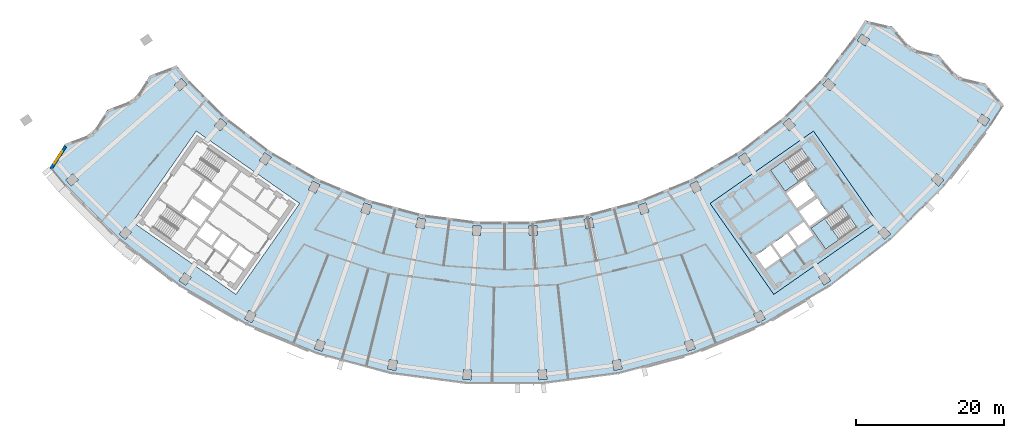
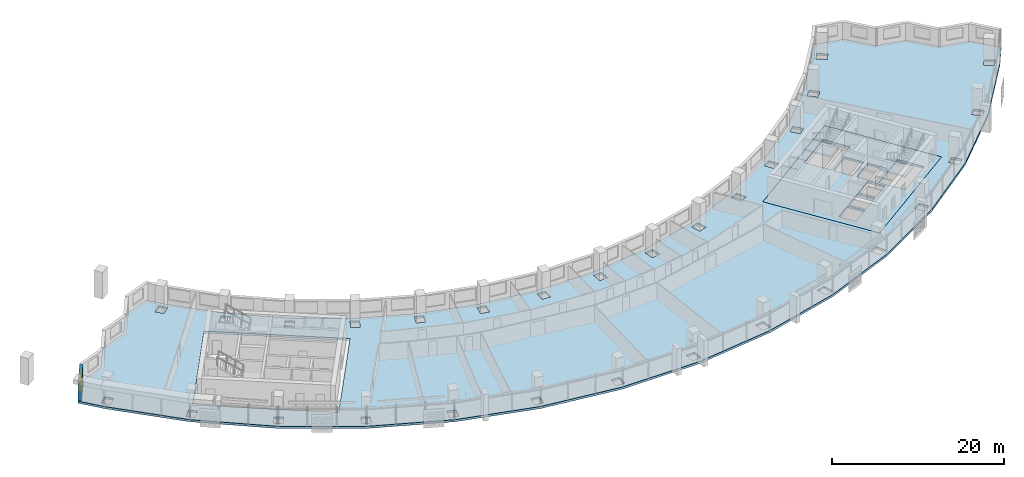
# One storey, part 2 of 26: 4 slabs, 1 wall, 1 window, 1 opening, 2 elements without a shape of their own.
"""IFC4 building model written with IfcOpenShell, lengths in metres."""

from ifc_helpers import new_model, si_unit, direction, frame, frame_2d, origin, place, context, subcontext, project, spatial, polyline, rectangle, outline, extrude, material, layer, layer_set, type_object, element, fill, aggregate, save


model = new_model("IFC4")

# Units and contexts
model_context = context("Model", 3, precision=1e-05, world=origin(), true_north=direction((0.0, 1.0)))
body_context = subcontext(model_context, "Body", "Model", "MODEL_VIEW")
ifc_project = project(units=[si_unit("LENGTHUNIT", "METRE"), si_unit("AREAUNIT", "SQUARE_METRE"), si_unit("VOLUMEUNIT", "CUBIC_METRE"), si_unit("PLANEANGLEUNIT", "RADIAN"), si_unit("MASSUNIT", "GRAM", prefix="KILO")], contexts=[model_context])

# Site, building, storey
site_placement = place(None, origin())
site = spatial("IfcSite", under=ifc_project, at=site_placement, CompositionType="ELEMENT")
building_placement = place(site_placement, origin())
building = spatial("IfcBuilding", under=site, at=building_placement, Name="Qamariyya Broadcast Tower", CompositionType="ELEMENT")
storey_placement = place(building_placement, frame((0.0, 0.0, 183.5)))
storey = spatial("IfcBuildingStorey", under=building, at=storey_placement, Name="L43", CompositionType="ELEMENT", Elevation=183.5)

# Slabs
ifc_material_1 = material(Name="Concrete C40/50", Category="concrete")
ifc_layer_1 = layer(ifc_material_1, 0.300048828125)
ifc_layer_set_1 = layer_set([ifc_layer_1], Name="Core floor slab 300 mm Concrete C40/50")
slab_type_1 = type_object("IfcSlabType", Name="Core floor slab 300 mm Concrete C40/50", PredefinedType="FLOOR", material=ifc_layer_set_1)
slab_1_placement = place(storey_placement, frame((0.0, 0.0, -0.300048828125)))
element("IfcSlab", 1, at=slab_1_placement, inside=storey, type_object=slab_type_1, Name="k-E-L43-slab", PredefinedType="FLOOR", context=body_context, shape_type="SweptSolid", body=[
    extrude(outline(polyline([(36.32373046875, -66.734375), (50.286376953125, -56.95751953125), (41.6826171875, -44.67041015625), (27.719970703125, -54.447021484375), (36.32373046875, -66.734375)]), holes=[polyline([(33.87353515625, -61.49169921875), (35.88037109375, -60.08642578125), (37.142333984375, -61.888427734375), (35.13525390625, -63.293701171875), (33.87353515625, -61.49169921875)]), polyline([(36.126220703125, -59.914306640625), (38.133056640625, -58.509033203125), (39.394775390625, -60.311279296875), (37.387939453125, -61.716552734375), (36.126220703125, -59.914306640625)]), polyline([(38.378662109375, -58.3369140625), (40.3857421875, -56.931640625), (41.6474609375, -58.73388671875), (39.640625, -60.13916015625), (38.378662109375, -58.3369140625)]), polyline([(39.742431640625, -55.489990234375), (42.199951171875, -53.769287109375), (43.6337890625, -55.817138671875), (41.17626953125, -57.537841796875), (39.742431640625, -55.489990234375)]), polyline([(39.45556640625, -55.080322265625), (41.9130859375, -53.359619140625), (40.47900390625, -51.311767578125), (38.021728515625, -53.032470703125), (39.45556640625, -55.080322265625)]), polyline([(40.082275390625, -47.01171875), (35.870849609375, -49.960693359375), (37.849609375, -52.78662109375), (42.06103515625, -49.837890625), (40.082275390625, -47.01171875)]), polyline([(45.559814453125, -54.834716796875), (41.348388671875, -57.783447265625), (43.3271484375, -60.609619140625), (47.538818359375, -57.66064453125), (45.559814453125, -54.834716796875)])]), origin(), (0.0, 0.0, 1.0), 0.300048828125),
])
ifc_layer_2 = layer(ifc_material_1, 0.300048828125)
ifc_layer_set_2 = layer_set([ifc_layer_2], Name="Post-tensioned floor slab 300 C40/50")
slab_type_2 = type_object("IfcSlabType", Name="Post-tensioned floor slab 300 C40/50", PredefinedType="FLOOR", material=ifc_layer_set_2)
slab_2_placement = place(storey_placement, frame((0.0, 0.0, -0.300048828125)))
element("IfcSlab", 2, at=slab_2_placement, inside=storey, type_object=slab_type_2, Name="Floor slab S4 L43", PredefinedType="FLOOR", context=body_context, shape_type="SweptSolid", body=[
    extrude(outline(polyline([(-59.363525390625, -46.379638671875), (-61.470458984375, -49.62255859375), (-59.395263671875, -52.08837890625), (-52.08837890625, -59.395263671875), (-43.89013671875, -65.68603515625), (-34.94091796875, -70.85302734375), (-25.393798828125, -74.807373046875), (-15.412109375, -77.48193359375), (-5.166748046875, -78.830810546875), (5.166748046875, -78.830810546875), (15.412109375, -77.48193359375), (25.393798828125, -74.807373046875), (34.94091796875, -70.85302734375), (43.89013671875, -65.68603515625), (52.08837890625, -59.395263671875), (59.395263671875, -52.08837890625), (65.68603515625, -43.89013671875), (67.421630859375, -41.174560546875), (64.909423828125, -38.234375), (61.1630859375, -37.352294921875), (58.650146484375, -34.41162109375), (54.904541015625, -33.5302734375), (52.390380859375, -30.5888671875), (48.64599609375, -29.708251953125), (47.393798828125, -31.66748046875), (42.85498046875, -37.582763671875), (37.582763671875, -42.85498046875), (31.66748046875, -47.393798828125), (25.21044921875, -51.121826171875), (18.322021484375, -53.97509765625), (11.1201171875, -55.90478515625), (3.72802734375, -56.8779296875), (-3.72802734375, -56.8779296875), (-11.1201171875, -55.90478515625), (-18.322021484375, -53.97509765625), (-25.21044921875, -51.121826171875), (-31.66748046875, -47.393798828125), (-37.582763671875, -42.85498046875), (-42.85498046875, -37.582763671875), (-44.35205078125, -35.803466796875), (-47.949462890625, -37.16552734375), (-50.05810546875, -40.409912109375), (-53.65673828125, -41.772705078125), (-55.76416015625, -45.01611328125), (-59.363525390625, -46.379638671875)]), holes=[polyline([(-5.676513671875, -78.1962890625), (-5.59130859375, -76.89892578125), (-4.49365234375, -76.970947265625), (-4.578857421875, -78.26806640625), (-5.676513671875, -78.1962890625)]), polyline([(-15.83447265625, -76.786376953125), (-15.580810546875, -75.51123046875), (-14.501953125, -75.725830078125), (-14.755615234375, -77.0009765625), (-15.83447265625, -76.786376953125)]), polyline([(-25.7216796875, -74.0625), (-25.3037109375, -72.83154296875), (-24.26220703125, -73.18505859375), (-24.679931640625, -74.416015625), (-25.7216796875, -74.0625)]), polyline([(-35.168701171875, -70.071533203125), (-34.59375, -68.905517578125), (-33.607177734375, -69.39208984375), (-34.18212890625, -70.55810546875), (-35.168701171875, -70.071533203125)]), polyline([(-44.013916015625, -64.881591796875), (-43.291748046875, -63.80078125), (-42.377197265625, -64.411865234375), (-43.099365234375, -65.49267578125), (-44.013916015625, -64.881591796875)]), polyline([(-52.106201171875, -58.58154296875), (-51.2490234375, -57.604248046875), (-50.422119140625, -58.32958984375), (-51.279296875, -59.306884765625), (-52.106201171875, -58.58154296875)]), polyline([(-4.401123046875, -58.738037109375), (-4.316162109375, -57.440673828125), (-3.218505859375, -57.5126953125), (-3.303466796875, -58.809814453125), (-4.401123046875, -58.738037109375)]), polyline([(-12.0302734375, -57.660888671875), (-11.776611328125, -56.385986328125), (-10.69775390625, -56.6005859375), (-10.951416015625, -57.87548828125), (-12.0302734375, -57.660888671875)]), polyline([(-50.286376953125, -56.95751953125), (-41.6826171875, -44.67041015625), (-27.719970703125, -54.447021484375), (-36.32373046875, -66.734375), (-50.286376953125, -56.95751953125)]), polyline([(-19.45361328125, -55.597412109375), (-19.03564453125, -54.366455078125), (-17.994140625, -54.719970703125), (-18.411865234375, -55.950927734375), (-19.45361328125, -55.597412109375)]), polyline([(-26.544189453125, -52.58251953125), (-25.968994140625, -51.41650390625), (-24.982666015625, -51.903076171875), (-25.5576171875, -53.069091796875), (-26.544189453125, -52.58251953125)]), polyline([(-59.306884765625, -51.279296875), (-58.32958984375, -50.422119140625), (-57.604248046875, -51.2490234375), (-58.58154296875, -52.106201171875), (-59.306884765625, -51.279296875)]), polyline([(-33.180419921875, -48.66796875), (-32.458251953125, -47.587158203125), (-31.54345703125, -48.1982421875), (-32.265869140625, -49.279052734375), (-33.180419921875, -48.66796875)]), polyline([(-39.2490234375, -43.920654296875), (-38.391845703125, -42.943359375), (-37.564697265625, -43.668701171875), (-38.421875, -44.64599609375), (-39.2490234375, -43.920654296875)]), polyline([(-43.668701171875, -37.564697265625), (-42.943359375, -38.391845703125), (-43.920654296875, -39.2490234375), (-44.64599609375, -38.421875), (-43.668701171875, -37.564697265625)]), polyline([(4.578857421875, -78.26806640625), (4.49365234375, -76.970947265625), (5.59130859375, -76.89892578125), (5.676513671875, -78.1962890625), (4.578857421875, -78.26806640625)]), polyline([(14.755615234375, -77.0009765625), (14.501953125, -75.725830078125), (15.580810546875, -75.51123046875), (15.83447265625, -76.786376953125), (14.755615234375, -77.0009765625)]), polyline([(24.679931640625, -74.416015625), (24.26220703125, -73.18505859375), (25.3037109375, -72.83154296875), (25.7216796875, -74.0625), (24.679931640625, -74.416015625)]), polyline([(34.18212890625, -70.55810546875), (33.607177734375, -69.39208984375), (34.59375, -68.905517578125), (35.168701171875, -70.071533203125), (34.18212890625, -70.55810546875)]), polyline([(43.099365234375, -65.49267578125), (42.377197265625, -64.411865234375), (43.291748046875, -63.80078125), (44.013916015625, -64.881591796875), (43.099365234375, -65.49267578125)]), polyline([(51.279296875, -59.306884765625), (50.422119140625, -58.32958984375), (51.2490234375, -57.604248046875), (52.106201171875, -58.58154296875), (51.279296875, -59.306884765625)]), polyline([(3.303466796875, -58.809814453125), (3.218505859375, -57.5126953125), (4.316162109375, -57.440673828125), (4.401123046875, -58.738037109375), (3.303466796875, -58.809814453125)]), polyline([(10.951416015625, -57.87548828125), (10.69775390625, -56.6005859375), (11.776611328125, -56.385986328125), (12.0302734375, -57.660888671875), (10.951416015625, -57.87548828125)]), polyline([(36.32373046875, -66.734375), (27.719970703125, -54.447021484375), (41.6826171875, -44.67041015625), (50.286376953125, -56.95751953125), (36.32373046875, -66.734375)]), polyline([(18.411865234375, -55.950927734375), (17.994140625, -54.719970703125), (19.03564453125, -54.366455078125), (19.45361328125, -55.597412109375), (18.411865234375, -55.950927734375)]), polyline([(25.5576171875, -53.069091796875), (24.982666015625, -51.903076171875), (25.968994140625, -51.41650390625), (26.544189453125, -52.58251953125), (25.5576171875, -53.069091796875)]), polyline([(58.58154296875, -52.106201171875), (57.604248046875, -51.2490234375), (58.32958984375, -50.422119140625), (59.306884765625, -51.279296875), (58.58154296875, -52.106201171875)]), polyline([(32.265869140625, -49.279052734375), (31.54345703125, -48.1982421875), (32.458251953125, -47.587158203125), (33.180419921875, -48.66796875), (32.265869140625, -49.279052734375)]), polyline([(38.421875, -44.64599609375), (37.564697265625, -43.668701171875), (38.391845703125, -42.943359375), (39.2490234375, -43.920654296875), (38.421875, -44.64599609375)]), polyline([(64.881591796875, -44.013916015625), (63.80078125, -43.291748046875), (64.411865234375, -42.377197265625), (65.49267578125, -43.099365234375), (64.881591796875, -44.013916015625)]), polyline([(42.943359375, -38.391845703125), (43.668701171875, -37.564697265625), (44.64599609375, -38.421875), (43.920654296875, -39.2490234375), (42.943359375, -38.391845703125)]), polyline([(47.587158203125, -32.458251953125), (48.1982421875, -31.54345703125), (49.279052734375, -32.265869140625), (48.66796875, -33.180419921875), (47.587158203125, -32.458251953125)])]), origin(), (0.0, 0.0, 1.0), 0.300048828125),
])

# Stair, slab
ifc_material_2 = material(Name="Concrete C50/60", Category="concrete")
stair_type = type_object("IfcStairType", Name="Exit stair 22 risers of 173 mm", PredefinedType="HALF_TURN_STAIR", material=ifc_material_2)
stair_1_placement = place(storey_placement, origin())
stair_1 = element("IfcStair", 3, at=stair_1_placement, inside=storey, type_object=stair_type, Name="L43 Stair E2", PredefinedType="HALF_TURN_STAIR")
ifc_layer_3 = layer(ifc_material_2, 0.199951171875)
ifc_layer_set_3 = layer_set([ifc_layer_3], Name="Stair landing")
slab_type_3 = type_object("IfcSlabType", Name="Stair landing", PredefinedType="LANDING", material=ifc_layer_set_3)
slab_3_placement = place(storey_placement, frame((0.0, 0.0, 1.699951171875)))
slab_3 = element("IfcSlab", 4, at=slab_3_placement, type_object=slab_type_3, Name="ST-E2 landing 1", PredefinedType="LANDING", context=body_context, shape_type="SweptSolid", body=[
    extrude(outline(polyline([(37.71337890625, -48.67041015625), (35.870849609375, -49.960693359375), (37.849609375, -52.78662109375), (39.692138671875, -51.49658203125), (37.71337890625, -48.67041015625)])), origin(), (0.0, 0.0, 1.0), 0.199951171875),
])
aggregate(stair_1, [slab_3])

stair_2_placement = place(storey_placement, origin())
stair_2 = element("IfcStair", 5, at=stair_2_placement, inside=storey, type_object=stair_type, Name="L43 Stair E1", PredefinedType="HALF_TURN_STAIR")
slab_4_placement = place(storey_placement, frame((0.0, 0.0, 1.699951171875)))
slab_4 = element("IfcSlab", 6, at=slab_4_placement, type_object=slab_type_3, Name="ST-E1 landing 1", PredefinedType="LANDING", context=body_context, shape_type="SweptSolid", body=[
    extrude(outline(polyline([(43.19091796875, -56.493408203125), (41.348388671875, -57.783447265625), (43.3271484375, -60.609619140625), (45.169677734375, -59.319580078125), (43.19091796875, -56.493408203125)])), origin(), (0.0, 0.0, 1.0), 0.199951171875),
])
aggregate(stair_2, [slab_4])

# Wall, opening, window
ifc_material_3 = material(Name="Terracotta", Category="masonry")
ifc_layer_4 = layer(ifc_material_3, 0.39990234375)
ifc_layer_set_4 = layer_set([ifc_layer_4], Name="Terracotta clad wall 400")
wall_type = type_object("IfcWallType", Name="Terracotta clad wall 400", PredefinedType="SOLIDWALL", material=ifc_layer_set_4)
wall_placement = place(storey_placement, frame((-59.3486328125, -46.7236328125, 0.0), z_axis=(0.0, 0.0, 1.0), x_axis=(-0.544796939321, -0.838568002553, 0.0)))
wall = element("IfcWall", 7, at=wall_placement, inside=storey, type_object=wall_type, Name="e-wl-L43-capW5", PredefinedType="SOLIDWALL", context=body_context, shape_type="SweptSolid", body=[
    extrude(rectangle(XDim=3.5869140625, YDim=0.39990234375, at=frame_2d((1.79345703125, 0.0))), origin(), (0.0, 0.0, 1.0), 2.699951171875),
])
opening_placement = place(wall_placement, frame((0.79345703125, 0.0, 0.89990234375)))
opening = element("IfcOpeningElement", 8, at=opening_placement, cuts=wall, Name="Opening W4", PredefinedType="OPENING", context=body_context, shape_type="SweptSolid", body=[
    extrude(rectangle(XDim=2.0, YDim=1.5, at=frame_2d((1.0, 0.75))), frame((0.0, 0.2099609375, 0.0), z_axis=(0.0, -1.0, 0.0), x_axis=(1.0, 0.0, 0.0)), (0.0, 0.0, 1.0), 0.419921875),
])
ifc_material_4 = material(Name="Clear low-e double glazed unit in aluminium frame", Category="aluminium")
window_type = type_object("IfcWindowType", Name="Horn bay window 2000 x 1500", PartitioningType="SINGLE_PANEL", PredefinedType="WINDOW", material=ifc_material_4)
window_placement = place(opening_placement, origin())
window = element("IfcWindow", 9, at=window_placement, inside=storey, type_object=window_type, Name="e-w-L43-capW5", OverallHeight=1.5, OverallWidth=2.0, PartitioningType="SINGLE_PANEL", PredefinedType="WINDOW", context=body_context, shape_type="SweptSolid", body=[
    extrude(rectangle(XDim=2.0, YDim=1.5, at=frame_2d((1.0, 0.75))), frame((0.0, 0.030029296875, 0.0), z_axis=(0.0, -1.0, 0.0), x_axis=(1.0, 0.0, 0.0)), (0.0, 0.0, 1.0), 0.06005859375),
])
fill(opening, window)

save(model, "model.ifc")
